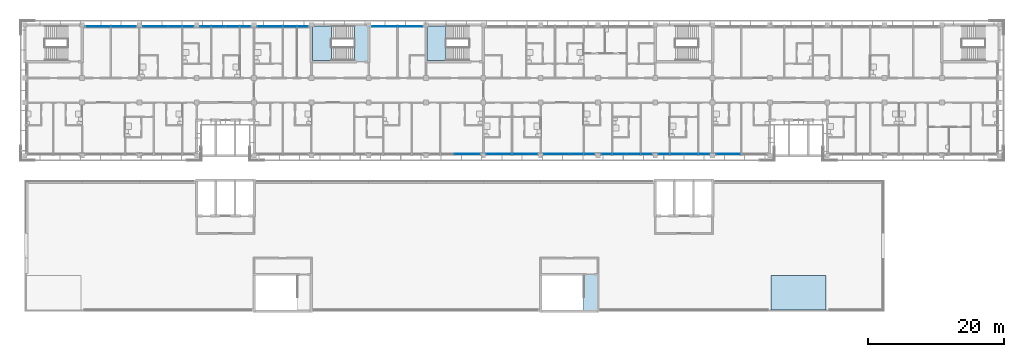
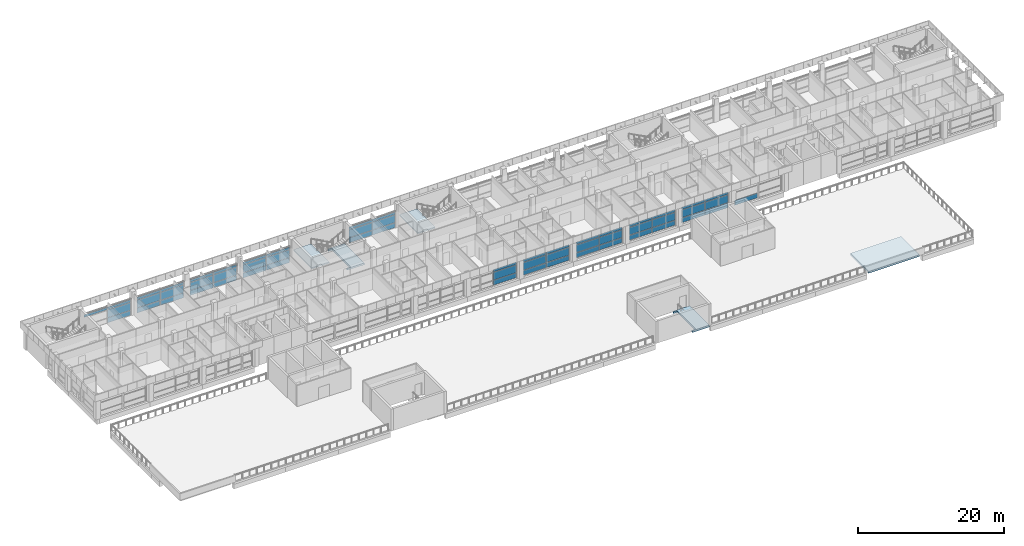
# One storey, part 15 of 46: 56 plates, 5 slabs, 13 elements without a shape of their own.
"""IFC4 building model written with IfcOpenShell, lengths in metres."""

from ifc_helpers import new_model, si_unit, direction, frame, origin, origin_2d, place, context, subcontext, project, spatial, polyline, rectangle, outline, extrude, material, layer, layer_set, type_object, element, aggregate, save


model = new_model("IFC4")

# Units and contexts
model_context = context("Model", 3, precision=1e-05, world=origin(), true_north=direction((0.0, 1.0)))
body_context = subcontext(model_context, "Body", "Model", "MODEL_VIEW")
ifc_project = project(units=[si_unit("LENGTHUNIT", "METRE"), si_unit("AREAUNIT", "SQUARE_METRE"), si_unit("VOLUMEUNIT", "CUBIC_METRE"), si_unit("PLANEANGLEUNIT", "RADIAN"), si_unit("MASSUNIT", "GRAM", prefix="KILO")], contexts=[model_context])

# Site, building, storey
site_placement = place(None, origin())
site = spatial("IfcSite", under=ifc_project, at=site_placement, CompositionType="ELEMENT")
building_placement = place(site_placement, origin())
building = spatial("IfcBuilding", under=site, at=building_placement, Name="Bougainvillea Quay General Hospital", CompositionType="ELEMENT")
storey_placement = place(building_placement, frame((0.0, 0.0, 28.800048828125)))
storey = spatial("IfcBuildingStorey", under=building, at=storey_placement, Name="L06", CompositionType="ELEMENT", Elevation=28.800048828125)

# Curtain wall, plates
ifc_material_1 = material(Name="Aluminium curtain wall system, powder-coated glazed", Category="aluminium")
curtain_wall_type = type_object("IfcCurtainWallType", Name="Unitised curtain wall CW-3730", PredefinedType="NOTDEFINED", material=ifc_material_1)
curtain_wall_1_placement = place(storey_placement, origin())
curtain_wall_1 = element("IfcCurtainWall", 1, at=curtain_wall_1_placement, inside=storey, type_object=curtain_wall_type, Name="CW-4200 07", PredefinedType="NOTDEFINED")
ifc_material_2 = material(Name="Insulated aluminium spandrel panel, white", Category="aluminium")
ifc_layer_1 = layer(ifc_material_2, 0.028076171875)
ifc_layer_set_1 = layer_set([ifc_layer_1], Name="Insulated aluminium spandrel panel, white")
plate_type_1 = type_object("IfcPlateType", Name="Insulated spandrel panel white 28", PredefinedType="CURTAIN_PANEL", material=ifc_layer_set_1)
plate_1_placement = place(storey_placement, frame((98.449951171875, 159.35009765625, 0.059814453125), z_axis=(0.0, 0.0, 1.0), x_axis=(-1.0, 0.0, 0.0)))
plate_1 = element("IfcPlate", 2, at=plate_1_placement, type_object=plate_type_1, Name="CW-4200 spandrel panel 1.1", PredefinedType="CURTAIN_PANEL", context=body_context, shape_type="SweptSolid", body=[
    extrude(rectangle(XDim=3.639892578125, YDim=0.028076171875, at=origin_2d()), origin(), (0.0, 0.0, 1.0), 0.81005859375),
])
plate_2_placement = place(storey_placement, frame((98.449951171875, 159.35009765625, 2.27978515625), z_axis=(0.0, 0.0, 1.0), x_axis=(-1.0, 0.0, 0.0)))
plate_2 = element("IfcPlate", 3, at=plate_2_placement, type_object=plate_type_1, Name="CW-4200 spandrel panel 1.3", PredefinedType="CURTAIN_PANEL", context=body_context, shape_type="SweptSolid", body=[
    extrude(rectangle(XDim=3.639892578125, YDim=0.028076171875, at=origin_2d()), origin(), (0.0, 0.0, 1.0), 0.409912109375),
])
plate_3_placement = place(storey_placement, frame((94.75, 159.35009765625, 0.059814453125), z_axis=(0.0, 0.0, 1.0), x_axis=(-1.0, 0.0, 0.0)))
plate_3 = element("IfcPlate", 4, at=plate_3_placement, type_object=plate_type_1, Name="CW-4200 spandrel panel 2.1", PredefinedType="CURTAIN_PANEL", context=body_context, shape_type="SweptSolid", body=[
    extrude(rectangle(XDim=3.639892578125, YDim=0.028076171875, at=origin_2d()), origin(), (0.0, 0.0, 1.0), 0.81005859375),
])
plate_4_placement = place(storey_placement, frame((94.75, 159.35009765625, 2.27978515625), z_axis=(0.0, 0.0, 1.0), x_axis=(-1.0, 0.0, 0.0)))
plate_4 = element("IfcPlate", 5, at=plate_4_placement, type_object=plate_type_1, Name="CW-4200 spandrel panel 2.3", PredefinedType="CURTAIN_PANEL", context=body_context, shape_type="SweptSolid", body=[
    extrude(rectangle(XDim=3.639892578125, YDim=0.028076171875, at=origin_2d()), origin(), (0.0, 0.0, 1.0), 0.409912109375),
])

curtain_wall_2_placement = place(storey_placement, origin())
curtain_wall_2 = element("IfcCurtainWall", 6, at=curtain_wall_2_placement, inside=storey, type_object=curtain_wall_type, Name="CW-4200 08", PredefinedType="NOTDEFINED")
plate_5_placement = place(storey_placement, frame((81.64990234375, 159.35009765625, 0.059814453125), z_axis=(0.0, 0.0, 1.0), x_axis=(-1.0, 0.0, 0.0)))
plate_5 = element("IfcPlate", 7, at=plate_5_placement, type_object=plate_type_1, Name="CW-4200 spandrel panel 1.1", PredefinedType="CURTAIN_PANEL", context=body_context, shape_type="SweptSolid", body=[
    extrude(rectangle(XDim=3.639892578125, YDim=0.028076171875, at=origin_2d()), origin(), (0.0, 0.0, 1.0), 0.81005859375),
])
plate_6_placement = place(storey_placement, frame((81.64990234375, 159.35009765625, 2.27978515625), z_axis=(0.0, 0.0, 1.0), x_axis=(-1.0, 0.0, 0.0)))
plate_6 = element("IfcPlate", 8, at=plate_6_placement, type_object=plate_type_1, Name="CW-4200 spandrel panel 1.3", PredefinedType="CURTAIN_PANEL", context=body_context, shape_type="SweptSolid", body=[
    extrude(rectangle(XDim=3.639892578125, YDim=0.028076171875, at=origin_2d()), origin(), (0.0, 0.0, 1.0), 0.409912109375),
])
plate_7_placement = place(storey_placement, frame((77.949951171875, 159.35009765625, 0.059814453125), z_axis=(0.0, 0.0, 1.0), x_axis=(-1.0, 0.0, 0.0)))
plate_7 = element("IfcPlate", 9, at=plate_7_placement, type_object=plate_type_1, Name="CW-4200 spandrel panel 2.1", PredefinedType="CURTAIN_PANEL", context=body_context, shape_type="SweptSolid", body=[
    extrude(rectangle(XDim=3.639892578125, YDim=0.028076171875, at=origin_2d()), origin(), (0.0, 0.0, 1.0), 0.81005859375),
])
plate_8_placement = place(storey_placement, frame((77.949951171875, 159.35009765625, 2.27978515625), z_axis=(0.0, 0.0, 1.0), x_axis=(-1.0, 0.0, 0.0)))
plate_8 = element("IfcPlate", 10, at=plate_8_placement, type_object=plate_type_1, Name="CW-4200 spandrel panel 2.3", PredefinedType="CURTAIN_PANEL", context=body_context, shape_type="SweptSolid", body=[
    extrude(rectangle(XDim=3.639892578125, YDim=0.028076171875, at=origin_2d()), origin(), (0.0, 0.0, 1.0), 0.409912109375),
])

curtain_wall_3_placement = place(storey_placement, origin())
curtain_wall_3 = element("IfcCurtainWall", 11, at=curtain_wall_3_placement, inside=storey, type_object=curtain_wall_type, Name="CW-4200 09", PredefinedType="NOTDEFINED")
plate_9_placement = place(storey_placement, frame((73.25, 159.35009765625, 0.059814453125), z_axis=(0.0, 0.0, 1.0), x_axis=(-1.0, 0.0, 0.0)))
plate_9 = element("IfcPlate", 12, at=plate_9_placement, type_object=plate_type_1, Name="CW-4200 spandrel panel 1.1", PredefinedType="CURTAIN_PANEL", context=body_context, shape_type="SweptSolid", body=[
    extrude(rectangle(XDim=3.639892578125, YDim=0.028076171875, at=origin_2d()), origin(), (0.0, 0.0, 1.0), 0.81005859375),
])
plate_10_placement = place(storey_placement, frame((73.25, 159.35009765625, 2.27978515625), z_axis=(0.0, 0.0, 1.0), x_axis=(-1.0, 0.0, 0.0)))
plate_10 = element("IfcPlate", 13, at=plate_10_placement, type_object=plate_type_1, Name="CW-4200 spandrel panel 1.3", PredefinedType="CURTAIN_PANEL", context=body_context, shape_type="SweptSolid", body=[
    extrude(rectangle(XDim=3.639892578125, YDim=0.028076171875, at=origin_2d()), origin(), (0.0, 0.0, 1.0), 0.409912109375),
])
plate_11_placement = place(storey_placement, frame((69.550048828125, 159.35009765625, 0.059814453125), z_axis=(0.0, 0.0, 1.0), x_axis=(-1.0, 0.0, 0.0)))
plate_11 = element("IfcPlate", 14, at=plate_11_placement, type_object=plate_type_1, Name="CW-4200 spandrel panel 2.1", PredefinedType="CURTAIN_PANEL", context=body_context, shape_type="SweptSolid", body=[
    extrude(rectangle(XDim=3.639892578125, YDim=0.028076171875, at=origin_2d()), origin(), (0.0, 0.0, 1.0), 0.81005859375),
])
plate_12_placement = place(storey_placement, frame((69.550048828125, 159.35009765625, 2.27978515625), z_axis=(0.0, 0.0, 1.0), x_axis=(-1.0, 0.0, 0.0)))
plate_12 = element("IfcPlate", 15, at=plate_12_placement, type_object=plate_type_1, Name="CW-4200 spandrel panel 2.3", PredefinedType="CURTAIN_PANEL", context=body_context, shape_type="SweptSolid", body=[
    extrude(rectangle(XDim=3.639892578125, YDim=0.028076171875, at=origin_2d()), origin(), (0.0, 0.0, 1.0), 0.409912109375),
])

curtain_wall_4_placement = place(storey_placement, origin())
curtain_wall_4 = element("IfcCurtainWall", 16, at=curtain_wall_4_placement, inside=storey, type_object=curtain_wall_type, Name="CW-4200 10", PredefinedType="NOTDEFINED")
plate_13_placement = place(storey_placement, frame((64.85009765625, 159.35009765625, 0.059814453125), z_axis=(0.0, 0.0, 1.0), x_axis=(-1.0, 0.0, 0.0)))
plate_13 = element("IfcPlate", 17, at=plate_13_placement, type_object=plate_type_1, Name="CW-4200 spandrel panel 1.1", PredefinedType="CURTAIN_PANEL", context=body_context, shape_type="SweptSolid", body=[
    extrude(rectangle(XDim=3.639892578125, YDim=0.028076171875, at=origin_2d()), origin(), (0.0, 0.0, 1.0), 0.81005859375),
])
plate_14_placement = place(storey_placement, frame((64.85009765625, 159.35009765625, 2.27978515625), z_axis=(0.0, 0.0, 1.0), x_axis=(-1.0, 0.0, 0.0)))
plate_14 = element("IfcPlate", 18, at=plate_14_placement, type_object=plate_type_1, Name="CW-4200 spandrel panel 1.3", PredefinedType="CURTAIN_PANEL", context=body_context, shape_type="SweptSolid", body=[
    extrude(rectangle(XDim=3.639892578125, YDim=0.028076171875, at=origin_2d()), origin(), (0.0, 0.0, 1.0), 0.409912109375),
])
plate_15_placement = place(storey_placement, frame((61.14990234375, 159.35009765625, 0.059814453125), z_axis=(0.0, 0.0, 1.0), x_axis=(-1.0, 0.0, 0.0)))
plate_15 = element("IfcPlate", 19, at=plate_15_placement, type_object=plate_type_1, Name="CW-4200 spandrel panel 2.1", PredefinedType="CURTAIN_PANEL", context=body_context, shape_type="SweptSolid", body=[
    extrude(rectangle(XDim=3.639892578125, YDim=0.028076171875, at=origin_2d()), origin(), (0.0, 0.0, 1.0), 0.81005859375),
])
plate_16_placement = place(storey_placement, frame((61.14990234375, 159.35009765625, 2.27978515625), z_axis=(0.0, 0.0, 1.0), x_axis=(-1.0, 0.0, 0.0)))
plate_16 = element("IfcPlate", 20, at=plate_16_placement, type_object=plate_type_1, Name="CW-4200 spandrel panel 2.3", PredefinedType="CURTAIN_PANEL", context=body_context, shape_type="SweptSolid", body=[
    extrude(rectangle(XDim=3.639892578125, YDim=0.028076171875, at=origin_2d()), origin(), (0.0, 0.0, 1.0), 0.409912109375),
])

curtain_wall_5_placement = place(storey_placement, origin())
curtain_wall_5 = element("IfcCurtainWall", 21, at=curtain_wall_5_placement, inside=storey, type_object=curtain_wall_type, Name="CW-4200 11", PredefinedType="NOTDEFINED")
plate_17_placement = place(storey_placement, frame((56.449951171875, 159.35009765625, 0.059814453125), z_axis=(0.0, 0.0, 1.0), x_axis=(-1.0, 0.0, 0.0)))
plate_17 = element("IfcPlate", 22, at=plate_17_placement, type_object=plate_type_1, Name="CW-4200 spandrel panel 1.1", PredefinedType="CURTAIN_PANEL", context=body_context, shape_type="SweptSolid", body=[
    extrude(rectangle(XDim=3.639892578125, YDim=0.028076171875, at=origin_2d()), origin(), (0.0, 0.0, 1.0), 0.81005859375),
])
plate_18_placement = place(storey_placement, frame((56.449951171875, 159.35009765625, 2.27978515625), z_axis=(0.0, 0.0, 1.0), x_axis=(-1.0, 0.0, 0.0)))
plate_18 = element("IfcPlate", 23, at=plate_18_placement, type_object=plate_type_1, Name="CW-4200 spandrel panel 1.3", PredefinedType="CURTAIN_PANEL", context=body_context, shape_type="SweptSolid", body=[
    extrude(rectangle(XDim=3.639892578125, YDim=0.028076171875, at=origin_2d()), origin(), (0.0, 0.0, 1.0), 0.409912109375),
])
plate_19_placement = place(storey_placement, frame((52.75, 159.35009765625, 2.27978515625), z_axis=(0.0, 0.0, 1.0), x_axis=(-1.0, 0.0, 0.0)))
plate_19 = element("IfcPlate", 24, at=plate_19_placement, type_object=plate_type_1, Name="CW-4200 spandrel panel 2.3", PredefinedType="CURTAIN_PANEL", context=body_context, shape_type="SweptSolid", body=[
    extrude(rectangle(XDim=3.639892578125, YDim=0.028076171875, at=origin_2d()), origin(), (0.0, 0.0, 1.0), 0.409912109375),
])

curtain_wall_6_placement = place(storey_placement, origin())
curtain_wall_6 = element("IfcCurtainWall", 25, at=curtain_wall_6_placement, inside=storey, type_object=curtain_wall_type, Name="CW-4200 03", PredefinedType="NOTDEFINED")
plate_20_placement = place(storey_placement, frame((106.85009765625, 140.64990234375, 0.059814453125), z_axis=(0.0, 0.0, 1.0), x_axis=(1.0, 0.0, 0.0)))
plate_20 = element("IfcPlate", 26, at=plate_20_placement, type_object=plate_type_1, Name="CW-4200 spandrel panel 2.1", PredefinedType="CURTAIN_PANEL", context=body_context, shape_type="SweptSolid", body=[
    extrude(rectangle(XDim=3.639892578125, YDim=0.028076171875, at=origin_2d()), origin(), (0.0, 0.0, 1.0), 0.81005859375),
])
plate_21_placement = place(storey_placement, frame((106.85009765625, 140.64990234375, 2.27978515625), z_axis=(0.0, 0.0, 1.0), x_axis=(1.0, 0.0, 0.0)))
plate_21 = element("IfcPlate", 27, at=plate_21_placement, type_object=plate_type_1, Name="CW-4200 spandrel panel 2.3", PredefinedType="CURTAIN_PANEL", context=body_context, shape_type="SweptSolid", body=[
    extrude(rectangle(XDim=3.639892578125, YDim=0.028076171875, at=origin_2d()), origin(), (0.0, 0.0, 1.0), 0.409912109375),
])

curtain_wall_7_placement = place(storey_placement, origin())
curtain_wall_7 = element("IfcCurtainWall", 28, at=curtain_wall_7_placement, inside=storey, type_object=curtain_wall_type, Name="CW-4200 04", PredefinedType="NOTDEFINED")
plate_22_placement = place(storey_placement, frame((111.550048828125, 140.64990234375, 0.059814453125), z_axis=(0.0, 0.0, 1.0), x_axis=(1.0, 0.0, 0.0)))
plate_22 = element("IfcPlate", 29, at=plate_22_placement, type_object=plate_type_1, Name="CW-4200 spandrel panel 1.1", PredefinedType="CURTAIN_PANEL", context=body_context, shape_type="SweptSolid", body=[
    extrude(rectangle(XDim=3.639892578125, YDim=0.028076171875, at=origin_2d()), origin(), (0.0, 0.0, 1.0), 0.81005859375),
])
plate_23_placement = place(storey_placement, frame((111.550048828125, 140.64990234375, 2.27978515625), z_axis=(0.0, 0.0, 1.0), x_axis=(1.0, 0.0, 0.0)))
plate_23 = element("IfcPlate", 30, at=plate_23_placement, type_object=plate_type_1, Name="CW-4200 spandrel panel 1.3", PredefinedType="CURTAIN_PANEL", context=body_context, shape_type="SweptSolid", body=[
    extrude(rectangle(XDim=3.639892578125, YDim=0.028076171875, at=origin_2d()), origin(), (0.0, 0.0, 1.0), 0.409912109375),
])
plate_24_placement = place(storey_placement, frame((115.25, 140.64990234375, 0.059814453125), z_axis=(0.0, 0.0, 1.0), x_axis=(1.0, 0.0, 0.0)))
plate_24 = element("IfcPlate", 31, at=plate_24_placement, type_object=plate_type_1, Name="CW-4200 spandrel panel 2.1", PredefinedType="CURTAIN_PANEL", context=body_context, shape_type="SweptSolid", body=[
    extrude(rectangle(XDim=3.639892578125, YDim=0.028076171875, at=origin_2d()), origin(), (0.0, 0.0, 1.0), 0.81005859375),
])
plate_25_placement = place(storey_placement, frame((115.25, 140.64990234375, 2.27978515625), z_axis=(0.0, 0.0, 1.0), x_axis=(1.0, 0.0, 0.0)))
plate_25 = element("IfcPlate", 32, at=plate_25_placement, type_object=plate_type_1, Name="CW-4200 spandrel panel 2.3", PredefinedType="CURTAIN_PANEL", context=body_context, shape_type="SweptSolid", body=[
    extrude(rectangle(XDim=3.639892578125, YDim=0.028076171875, at=origin_2d()), origin(), (0.0, 0.0, 1.0), 0.409912109375),
])

curtain_wall_8_placement = place(storey_placement, origin())
curtain_wall_8 = element("IfcCurtainWall", 33, at=curtain_wall_8_placement, inside=storey, type_object=curtain_wall_type, Name="CW-4200 05", PredefinedType="NOTDEFINED")
plate_26_placement = place(storey_placement, frame((119.949951171875, 140.64990234375, 0.059814453125), z_axis=(0.0, 0.0, 1.0), x_axis=(1.0, 0.0, 0.0)))
plate_26 = element("IfcPlate", 34, at=plate_26_placement, type_object=plate_type_1, Name="CW-4200 spandrel panel 1.1", PredefinedType="CURTAIN_PANEL", context=body_context, shape_type="SweptSolid", body=[
    extrude(rectangle(XDim=3.639892578125, YDim=0.028076171875, at=origin_2d()), origin(), (0.0, 0.0, 1.0), 0.81005859375),
])
plate_27_placement = place(storey_placement, frame((119.949951171875, 140.64990234375, 2.27978515625), z_axis=(0.0, 0.0, 1.0), x_axis=(1.0, 0.0, 0.0)))
plate_27 = element("IfcPlate", 35, at=plate_27_placement, type_object=plate_type_1, Name="CW-4200 spandrel panel 1.3", PredefinedType="CURTAIN_PANEL", context=body_context, shape_type="SweptSolid", body=[
    extrude(rectangle(XDim=3.639892578125, YDim=0.028076171875, at=origin_2d()), origin(), (0.0, 0.0, 1.0), 0.409912109375),
])
plate_28_placement = place(storey_placement, frame((123.64990234375, 140.64990234375, 0.059814453125), z_axis=(0.0, 0.0, 1.0), x_axis=(1.0, 0.0, 0.0)))
plate_28 = element("IfcPlate", 36, at=plate_28_placement, type_object=plate_type_1, Name="CW-4200 spandrel panel 2.1", PredefinedType="CURTAIN_PANEL", context=body_context, shape_type="SweptSolid", body=[
    extrude(rectangle(XDim=3.639892578125, YDim=0.028076171875, at=origin_2d()), origin(), (0.0, 0.0, 1.0), 0.81005859375),
])
plate_29_placement = place(storey_placement, frame((123.64990234375, 140.64990234375, 2.27978515625), z_axis=(0.0, 0.0, 1.0), x_axis=(1.0, 0.0, 0.0)))
plate_29 = element("IfcPlate", 37, at=plate_29_placement, type_object=plate_type_1, Name="CW-4200 spandrel panel 2.3", PredefinedType="CURTAIN_PANEL", context=body_context, shape_type="SweptSolid", body=[
    extrude(rectangle(XDim=3.639892578125, YDim=0.028076171875, at=origin_2d()), origin(), (0.0, 0.0, 1.0), 0.409912109375),
])

curtain_wall_9_placement = place(storey_placement, origin())
curtain_wall_9 = element("IfcCurtainWall", 38, at=curtain_wall_9_placement, inside=storey, type_object=curtain_wall_type, Name="CW-4200 06", PredefinedType="NOTDEFINED")
plate_30_placement = place(storey_placement, frame((128.35009765625, 140.64990234375, 0.059814453125), z_axis=(0.0, 0.0, 1.0), x_axis=(1.0, 0.0, 0.0)))
plate_30 = element("IfcPlate", 39, at=plate_30_placement, type_object=plate_type_1, Name="CW-4200 spandrel panel 1.1", PredefinedType="CURTAIN_PANEL", context=body_context, shape_type="SweptSolid", body=[
    extrude(rectangle(XDim=3.639892578125, YDim=0.028076171875, at=origin_2d()), origin(), (0.0, 0.0, 1.0), 0.81005859375),
])
plate_31_placement = place(storey_placement, frame((128.35009765625, 140.64990234375, 2.27978515625), z_axis=(0.0, 0.0, 1.0), x_axis=(1.0, 0.0, 0.0)))
plate_31 = element("IfcPlate", 40, at=plate_31_placement, type_object=plate_type_1, Name="CW-4200 spandrel panel 1.3", PredefinedType="CURTAIN_PANEL", context=body_context, shape_type="SweptSolid", body=[
    extrude(rectangle(XDim=3.639892578125, YDim=0.028076171875, at=origin_2d()), origin(), (0.0, 0.0, 1.0), 0.409912109375),
])
plate_32_placement = place(storey_placement, frame((132.050048828125, 140.64990234375, 0.059814453125), z_axis=(0.0, 0.0, 1.0), x_axis=(1.0, 0.0, 0.0)))
plate_32 = element("IfcPlate", 41, at=plate_32_placement, type_object=plate_type_1, Name="CW-4200 spandrel panel 2.1", PredefinedType="CURTAIN_PANEL", context=body_context, shape_type="SweptSolid", body=[
    extrude(rectangle(XDim=3.639892578125, YDim=0.028076171875, at=origin_2d()), origin(), (0.0, 0.0, 1.0), 0.81005859375),
])
plate_33_placement = place(storey_placement, frame((132.050048828125, 140.64990234375, 2.27978515625), z_axis=(0.0, 0.0, 1.0), x_axis=(1.0, 0.0, 0.0)))
plate_33 = element("IfcPlate", 42, at=plate_33_placement, type_object=plate_type_1, Name="CW-4200 spandrel panel 2.3", PredefinedType="CURTAIN_PANEL", context=body_context, shape_type="SweptSolid", body=[
    extrude(rectangle(XDim=3.639892578125, YDim=0.028076171875, at=origin_2d()), origin(), (0.0, 0.0, 1.0), 0.409912109375),
])

curtain_wall_10_placement = place(storey_placement, origin())
curtain_wall_10 = element("IfcCurtainWall", 43, at=curtain_wall_10_placement, inside=storey, type_object=curtain_wall_type, Name="CW-4200 07", PredefinedType="NOTDEFINED")
plate_34_placement = place(storey_placement, frame((136.75, 140.64990234375, 0.059814453125), z_axis=(0.0, 0.0, 1.0), x_axis=(1.0, 0.0, 0.0)))
plate_34 = element("IfcPlate", 44, at=plate_34_placement, type_object=plate_type_1, Name="CW-4200 spandrel panel 1.1", PredefinedType="CURTAIN_PANEL", context=body_context, shape_type="SweptSolid", body=[
    extrude(rectangle(XDim=3.639892578125, YDim=0.028076171875, at=origin_2d()), origin(), (0.0, 0.0, 1.0), 0.81005859375),
])
plate_35_placement = place(storey_placement, frame((136.75, 140.64990234375, 2.27978515625), z_axis=(0.0, 0.0, 1.0), x_axis=(1.0, 0.0, 0.0)))
plate_35 = element("IfcPlate", 45, at=plate_35_placement, type_object=plate_type_1, Name="CW-4200 spandrel panel 1.3", PredefinedType="CURTAIN_PANEL", context=body_context, shape_type="SweptSolid", body=[
    extrude(rectangle(XDim=3.639892578125, YDim=0.028076171875, at=origin_2d()), origin(), (0.0, 0.0, 1.0), 0.409912109375),
])
plate_36_placement = place(storey_placement, frame((140.449951171875, 140.64990234375, 0.059814453125), z_axis=(0.0, 0.0, 1.0), x_axis=(1.0, 0.0, 0.0)))
plate_36 = element("IfcPlate", 46, at=plate_36_placement, type_object=plate_type_1, Name="CW-4200 spandrel panel 2.1", PredefinedType="CURTAIN_PANEL", context=body_context, shape_type="SweptSolid", body=[
    extrude(rectangle(XDim=3.639892578125, YDim=0.028076171875, at=origin_2d()), origin(), (0.0, 0.0, 1.0), 0.81005859375),
])
plate_37_placement = place(storey_placement, frame((140.449951171875, 140.64990234375, 2.27978515625), z_axis=(0.0, 0.0, 1.0), x_axis=(1.0, 0.0, 0.0)))
plate_37 = element("IfcPlate", 47, at=plate_37_placement, type_object=plate_type_1, Name="CW-4200 spandrel panel 2.3", PredefinedType="CURTAIN_PANEL", context=body_context, shape_type="SweptSolid", body=[
    extrude(rectangle(XDim=3.639892578125, YDim=0.028076171875, at=origin_2d()), origin(), (0.0, 0.0, 1.0), 0.409912109375),
])

# Curtain wall, plate
curtain_wall_11_placement = place(storey_placement, origin())
curtain_wall_11 = element("IfcCurtainWall", 48, at=curtain_wall_11_placement, inside=storey, type_object=curtain_wall_type, Name="CW-4200 08", PredefinedType="NOTDEFINED")
plate_38_placement = place(storey_placement, frame((145.14990234375, 140.64990234375, 0.059814453125), z_axis=(0.0, 0.0, 1.0), x_axis=(1.0, 0.0, 0.0)))
plate_38 = element("IfcPlate", 49, at=plate_38_placement, type_object=plate_type_1, Name="CW-4200 spandrel panel 1.1", PredefinedType="CURTAIN_PANEL", context=body_context, shape_type="SweptSolid", body=[
    extrude(rectangle(XDim=3.639892578125, YDim=0.028076171875, at=origin_2d()), origin(), (0.0, 0.0, 1.0), 0.81005859375),
])
aggregate(curtain_wall_11, [plate_38])

# Plate
ifc_material_3 = material(Name="Low-e laminated glass, solar control", Category="glass")
ifc_layer_2 = layer(ifc_material_3, 0.028076171875)
ifc_layer_set_2 = layer_set([ifc_layer_2], Name="Low-e laminated glass, solar control")
plate_type_2 = type_object("IfcPlateType", Name="Low-e laminated vision glass 28", PredefinedType="CURTAIN_PANEL", material=ifc_layer_set_2)
plate_39_placement = place(storey_placement, frame((98.449951171875, 159.35009765625, 0.929931640625), z_axis=(0.0, 0.0, 1.0), x_axis=(-1.0, 0.0, 0.0)))
plate_39 = element("IfcPlate", 50, at=plate_39_placement, type_object=plate_type_2, Name="CW-4200 vision glass panel 1.2", PredefinedType="CURTAIN_PANEL", context=body_context, shape_type="SweptSolid", body=[
    extrude(rectangle(XDim=3.639892578125, YDim=0.028076171875, at=origin_2d()), origin(), (0.0, 0.0, 1.0), 1.2900390625),
])

plate_40_placement = place(storey_placement, frame((94.75, 159.35009765625, 0.929931640625), z_axis=(0.0, 0.0, 1.0), x_axis=(-1.0, 0.0, 0.0)))
plate_40 = element("IfcPlate", 51, at=plate_40_placement, type_object=plate_type_2, Name="CW-4200 vision glass panel 2.2", PredefinedType="CURTAIN_PANEL", context=body_context, shape_type="SweptSolid", body=[
    extrude(rectangle(XDim=3.639892578125, YDim=0.028076171875, at=origin_2d()), origin(), (0.0, 0.0, 1.0), 1.2900390625),
])

aggregate(curtain_wall_1, [plate_1, plate_39, plate_2, plate_3, plate_40, plate_4])

plate_41_placement = place(storey_placement, frame((81.64990234375, 159.35009765625, 0.929931640625), z_axis=(0.0, 0.0, 1.0), x_axis=(-1.0, 0.0, 0.0)))
plate_41 = element("IfcPlate", 52, at=plate_41_placement, type_object=plate_type_2, Name="CW-4200 vision glass panel 1.2", PredefinedType="CURTAIN_PANEL", context=body_context, shape_type="SweptSolid", body=[
    extrude(rectangle(XDim=3.639892578125, YDim=0.028076171875, at=origin_2d()), origin(), (0.0, 0.0, 1.0), 1.2900390625),
])

plate_42_placement = place(storey_placement, frame((77.949951171875, 159.35009765625, 0.929931640625), z_axis=(0.0, 0.0, 1.0), x_axis=(-1.0, 0.0, 0.0)))
plate_42 = element("IfcPlate", 53, at=plate_42_placement, type_object=plate_type_2, Name="CW-4200 vision glass panel 2.2", PredefinedType="CURTAIN_PANEL", context=body_context, shape_type="SweptSolid", body=[
    extrude(rectangle(XDim=3.639892578125, YDim=0.028076171875, at=origin_2d()), origin(), (0.0, 0.0, 1.0), 1.2900390625),
])

aggregate(curtain_wall_2, [plate_5, plate_41, plate_6, plate_7, plate_42, plate_8])

plate_43_placement = place(storey_placement, frame((73.25, 159.35009765625, 0.929931640625), z_axis=(0.0, 0.0, 1.0), x_axis=(-1.0, 0.0, 0.0)))
plate_43 = element("IfcPlate", 54, at=plate_43_placement, type_object=plate_type_2, Name="CW-4200 vision glass panel 1.2", PredefinedType="CURTAIN_PANEL", context=body_context, shape_type="SweptSolid", body=[
    extrude(rectangle(XDim=3.639892578125, YDim=0.028076171875, at=origin_2d()), origin(), (0.0, 0.0, 1.0), 1.2900390625),
])

plate_44_placement = place(storey_placement, frame((69.550048828125, 159.35009765625, 0.929931640625), z_axis=(0.0, 0.0, 1.0), x_axis=(-1.0, 0.0, 0.0)))
plate_44 = element("IfcPlate", 55, at=plate_44_placement, type_object=plate_type_2, Name="CW-4200 vision glass panel 2.2", PredefinedType="CURTAIN_PANEL", context=body_context, shape_type="SweptSolid", body=[
    extrude(rectangle(XDim=3.639892578125, YDim=0.028076171875, at=origin_2d()), origin(), (0.0, 0.0, 1.0), 1.2900390625),
])

aggregate(curtain_wall_3, [plate_9, plate_43, plate_10, plate_11, plate_44, plate_12])

plate_45_placement = place(storey_placement, frame((64.85009765625, 159.35009765625, 0.929931640625), z_axis=(0.0, 0.0, 1.0), x_axis=(-1.0, 0.0, 0.0)))
plate_45 = element("IfcPlate", 56, at=plate_45_placement, type_object=plate_type_2, Name="CW-4200 vision glass panel 1.2", PredefinedType="CURTAIN_PANEL", context=body_context, shape_type="SweptSolid", body=[
    extrude(rectangle(XDim=3.639892578125, YDim=0.028076171875, at=origin_2d()), origin(), (0.0, 0.0, 1.0), 1.2900390625),
])

plate_46_placement = place(storey_placement, frame((61.14990234375, 159.35009765625, 0.929931640625), z_axis=(0.0, 0.0, 1.0), x_axis=(-1.0, 0.0, 0.0)))
plate_46 = element("IfcPlate", 57, at=plate_46_placement, type_object=plate_type_2, Name="CW-4200 vision glass panel 2.2", PredefinedType="CURTAIN_PANEL", context=body_context, shape_type="SweptSolid", body=[
    extrude(rectangle(XDim=3.639892578125, YDim=0.028076171875, at=origin_2d()), origin(), (0.0, 0.0, 1.0), 1.2900390625),
])

aggregate(curtain_wall_4, [plate_13, plate_45, plate_14, plate_15, plate_46, plate_16])

plate_47_placement = place(storey_placement, frame((56.449951171875, 159.35009765625, 0.929931640625), z_axis=(0.0, 0.0, 1.0), x_axis=(-1.0, 0.0, 0.0)))
plate_47 = element("IfcPlate", 58, at=plate_47_placement, type_object=plate_type_2, Name="CW-4200 vision glass panel 1.2", PredefinedType="CURTAIN_PANEL", context=body_context, shape_type="SweptSolid", body=[
    extrude(rectangle(XDim=3.639892578125, YDim=0.028076171875, at=origin_2d()), origin(), (0.0, 0.0, 1.0), 1.2900390625),
])

aggregate(curtain_wall_5, [plate_17, plate_47, plate_18, plate_19])

plate_48_placement = place(storey_placement, frame((106.85009765625, 140.64990234375, 0.929931640625), z_axis=(0.0, 0.0, 1.0), x_axis=(1.0, 0.0, 0.0)))
plate_48 = element("IfcPlate", 59, at=plate_48_placement, type_object=plate_type_2, Name="CW-4200 vision glass panel 2.2", PredefinedType="CURTAIN_PANEL", context=body_context, shape_type="SweptSolid", body=[
    extrude(rectangle(XDim=3.639892578125, YDim=0.028076171875, at=origin_2d()), origin(), (0.0, 0.0, 1.0), 1.2900390625),
])

aggregate(curtain_wall_6, [plate_20, plate_48, plate_21])

plate_49_placement = place(storey_placement, frame((111.550048828125, 140.64990234375, 0.929931640625), z_axis=(0.0, 0.0, 1.0), x_axis=(1.0, 0.0, 0.0)))
plate_49 = element("IfcPlate", 60, at=plate_49_placement, type_object=plate_type_2, Name="CW-4200 vision glass panel 1.2", PredefinedType="CURTAIN_PANEL", context=body_context, shape_type="SweptSolid", body=[
    extrude(rectangle(XDim=3.639892578125, YDim=0.028076171875, at=origin_2d()), origin(), (0.0, 0.0, 1.0), 1.2900390625),
])

plate_50_placement = place(storey_placement, frame((115.25, 140.64990234375, 0.929931640625), z_axis=(0.0, 0.0, 1.0), x_axis=(1.0, 0.0, 0.0)))
plate_50 = element("IfcPlate", 61, at=plate_50_placement, type_object=plate_type_2, Name="CW-4200 vision glass panel 2.2", PredefinedType="CURTAIN_PANEL", context=body_context, shape_type="SweptSolid", body=[
    extrude(rectangle(XDim=3.639892578125, YDim=0.028076171875, at=origin_2d()), origin(), (0.0, 0.0, 1.0), 1.2900390625),
])

aggregate(curtain_wall_7, [plate_22, plate_49, plate_23, plate_24, plate_50, plate_25])

plate_51_placement = place(storey_placement, frame((119.949951171875, 140.64990234375, 0.929931640625), z_axis=(0.0, 0.0, 1.0), x_axis=(1.0, 0.0, 0.0)))
plate_51 = element("IfcPlate", 62, at=plate_51_placement, type_object=plate_type_2, Name="CW-4200 vision glass panel 1.2", PredefinedType="CURTAIN_PANEL", context=body_context, shape_type="SweptSolid", body=[
    extrude(rectangle(XDim=3.639892578125, YDim=0.028076171875, at=origin_2d()), origin(), (0.0, 0.0, 1.0), 1.2900390625),
])

plate_52_placement = place(storey_placement, frame((123.64990234375, 140.64990234375, 0.929931640625), z_axis=(0.0, 0.0, 1.0), x_axis=(1.0, 0.0, 0.0)))
plate_52 = element("IfcPlate", 63, at=plate_52_placement, type_object=plate_type_2, Name="CW-4200 vision glass panel 2.2", PredefinedType="CURTAIN_PANEL", context=body_context, shape_type="SweptSolid", body=[
    extrude(rectangle(XDim=3.639892578125, YDim=0.028076171875, at=origin_2d()), origin(), (0.0, 0.0, 1.0), 1.2900390625),
])

aggregate(curtain_wall_8, [plate_26, plate_51, plate_27, plate_28, plate_52, plate_29])

plate_53_placement = place(storey_placement, frame((128.35009765625, 140.64990234375, 0.929931640625), z_axis=(0.0, 0.0, 1.0), x_axis=(1.0, 0.0, 0.0)))
plate_53 = element("IfcPlate", 64, at=plate_53_placement, type_object=plate_type_2, Name="CW-4200 vision glass panel 1.2", PredefinedType="CURTAIN_PANEL", context=body_context, shape_type="SweptSolid", body=[
    extrude(rectangle(XDim=3.639892578125, YDim=0.028076171875, at=origin_2d()), origin(), (0.0, 0.0, 1.0), 1.2900390625),
])

plate_54_placement = place(storey_placement, frame((132.050048828125, 140.64990234375, 0.929931640625), z_axis=(0.0, 0.0, 1.0), x_axis=(1.0, 0.0, 0.0)))
plate_54 = element("IfcPlate", 65, at=plate_54_placement, type_object=plate_type_2, Name="CW-4200 vision glass panel 2.2", PredefinedType="CURTAIN_PANEL", context=body_context, shape_type="SweptSolid", body=[
    extrude(rectangle(XDim=3.639892578125, YDim=0.028076171875, at=origin_2d()), origin(), (0.0, 0.0, 1.0), 1.2900390625),
])

aggregate(curtain_wall_9, [plate_30, plate_53, plate_31, plate_32, plate_54, plate_33])

plate_55_placement = place(storey_placement, frame((136.75, 140.64990234375, 0.929931640625), z_axis=(0.0, 0.0, 1.0), x_axis=(1.0, 0.0, 0.0)))
plate_55 = element("IfcPlate", 66, at=plate_55_placement, type_object=plate_type_2, Name="CW-4200 vision glass panel 1.2", PredefinedType="CURTAIN_PANEL", context=body_context, shape_type="SweptSolid", body=[
    extrude(rectangle(XDim=3.639892578125, YDim=0.028076171875, at=origin_2d()), origin(), (0.0, 0.0, 1.0), 1.2900390625),
])

plate_56_placement = place(storey_placement, frame((140.449951171875, 140.64990234375, 0.929931640625), z_axis=(0.0, 0.0, 1.0), x_axis=(1.0, 0.0, 0.0)))
plate_56 = element("IfcPlate", 67, at=plate_56_placement, type_object=plate_type_2, Name="CW-4200 vision glass panel 2.2", PredefinedType="CURTAIN_PANEL", context=body_context, shape_type="SweptSolid", body=[
    extrude(rectangle(XDim=3.639892578125, YDim=0.028076171875, at=origin_2d()), origin(), (0.0, 0.0, 1.0), 1.2900390625),
])

aggregate(curtain_wall_10, [plate_34, plate_55, plate_35, plate_36, plate_56, plate_37])

# Slabs
ifc_material_4 = material(Name="Concrete C35", Category="concrete")
ifc_layer_3 = layer(ifc_material_4, 0.300048828125)
ifc_layer_set_3 = layer_set([ifc_layer_3], Name="Concrete C35")
slab_type_1 = type_object("IfcSlabType", Name="RC FLAT SLAB 300 C35", PredefinedType="FLOOR", material=ifc_layer_set_3)
slab_1_placement = place(storey_placement, frame((0.0, 0.0, -0.300048828125)))
element("IfcSlab", 68, at=slab_1_placement, inside=storey, type_object=slab_type_1, Name="Slab S3 L06", PredefinedType="FLOOR", context=body_context, shape_type="SweptSolid", body=[
    extrude(outline(polyline([(159.425048828125, 117.77490234375), (159.425048828125, 122.824951171875), (151.375, 122.824951171875), (151.375, 117.77490234375), (159.425048828125, 117.77490234375)])), origin(), (0.0, 0.0, 1.0), 0.300048828125),
])
slab_2_placement = place(storey_placement, frame((0.0, 0.0, -0.300048828125)))
element("IfcSlab", 69, at=slab_2_placement, inside=storey, type_object=slab_type_1, Name="Stair landing floor ST-A2 L06", PredefinedType="FLOOR", context=body_context, shape_type="SweptSolid", body=[
    extrude(outline(polyline([(89.702880859375, 159.48388671875), (89.71142578125, 159.5419921875), (89.725830078125, 159.599609375), (92.39990234375, 159.60009765625), (92.39990234375, 154.199951171875), (89.725830078125, 154.200439453125), (89.71142578125, 154.2578125), (89.702880859375, 154.316162109375), (89.699951171875, 154.3740234375), (90.300537109375, 154.374267578125), (90.300537109375, 159.425537109375), (89.699951171875, 159.426025390625), (89.702880859375, 159.48388671875)])), origin(), (0.0, 0.0, 1.0), 0.300048828125),
])
slab_3_placement = place(storey_placement, frame((0.0, 0.0, -0.300048828125)))
element("IfcSlab", 70, at=slab_3_placement, inside=storey, type_object=slab_type_1, Name="Stair landing floor ST-B3 L06", PredefinedType="FLOOR", context=body_context, shape_type="SweptSolid", body=[
    extrude(outline(polyline([(123.302978515625, 122.8837890625), (123.3115234375, 122.942138671875), (123.325927734375, 122.99951171875), (126.0, 123.0), (126.0, 117.60009765625), (123.325927734375, 117.600341796875), (123.3115234375, 117.657958984375), (123.302978515625, 117.71630859375), (123.300048828125, 117.77392578125), (123.900634765625, 117.7744140625), (123.900634765625, 122.82568359375), (123.300048828125, 122.825927734375), (123.302978515625, 122.8837890625)])), origin(), (0.0, 0.0, 1.0), 0.300048828125),
])

# Stair, slab
stair_type = type_object("IfcStairType", Name="Stair half-turn 1925 wide", PredefinedType="HALF_TURN_STAIR", material=ifc_material_4)
stair_1_placement = place(storey_placement, origin())
stair_1 = element("IfcStair", 71, at=stair_1_placement, inside=storey, type_object=stair_type, Name="L06 stair ST-A2", PredefinedType="HALF_TURN_STAIR")
ifc_layer_4 = layer(ifc_material_4, 0.199951171875)
ifc_layer_set_4 = layer_set([ifc_layer_4], Name="Concrete C35")
slab_type_2 = type_object("IfcSlabType", Name="Stair landing 200", PredefinedType="LANDING", material=ifc_layer_set_4)
slab_4_placement = place(storey_placement, frame((0.0, 0.0, 1.75)))
slab_4 = element("IfcSlab", 72, at=slab_4_placement, type_object=slab_type_2, Name="ST-A2 landing 1", PredefinedType="LANDING", context=body_context, shape_type="SweptSolid", body=[
    extrude(outline(polyline([(86.93994140625, 159.425048828125), (84.175048828125, 159.425048828125), (84.175048828125, 154.375), (86.93994140625, 154.375), (86.93994140625, 159.425048828125)])), origin(), (0.0, 0.0, 1.0), 0.199951171875),
])
aggregate(stair_1, [slab_4])

stair_2_placement = place(storey_placement, origin())
stair_2 = element("IfcStair", 73, at=stair_2_placement, inside=storey, type_object=stair_type, Name="L06 stair ST-A5", PredefinedType="HALF_TURN_STAIR")
slab_5_placement = place(storey_placement, frame((0.0, 0.0, 1.75)))
slab_5 = element("IfcSlab", 74, at=slab_5_placement, type_object=slab_type_2, Name="ST-A5 landing 1", PredefinedType="LANDING", context=body_context, shape_type="SweptSolid", body=[
    extrude(outline(polyline([(103.739990234375, 159.425048828125), (100.97509765625, 159.425048828125), (100.97509765625, 154.375), (103.739990234375, 154.375), (103.739990234375, 159.425048828125)])), origin(), (0.0, 0.0, 1.0), 0.199951171875),
])
aggregate(stair_2, [slab_5])

save(model, "model.ifc")
